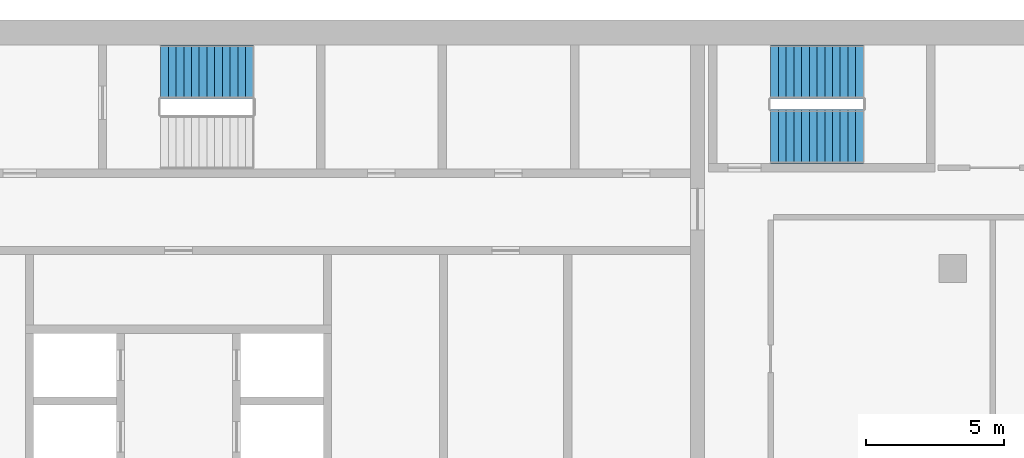
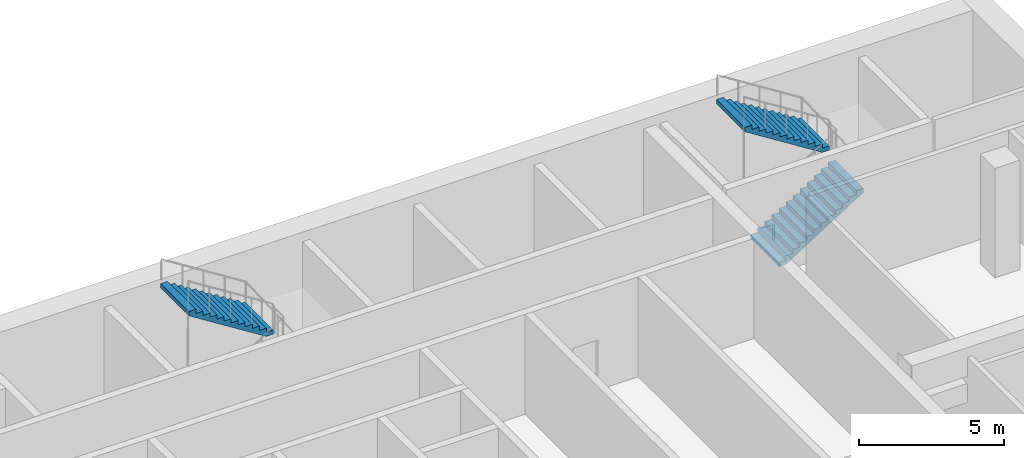
# One storey, part 12 of 18: 3 stair flights, 2 elements without a shape of their own.
"""IFC4 building model written with IfcOpenShell, lengths in metres."""

from ifc_helpers import new_model, si_unit, direction, frame, origin, place, context, subcontext, project, spatial, polyline, outline, extrude, material, type_object, element, aggregate, save


model = new_model("IFC4")

# Units and contexts
model_context = context("Model", 3, precision=1e-05, world=origin(), true_north=direction((0.0, 1.0)))
body_context = subcontext(model_context, "Body", "Model", "MODEL_VIEW")
ifc_project = project(units=[si_unit("LENGTHUNIT", "METRE"), si_unit("AREAUNIT", "SQUARE_METRE"), si_unit("VOLUMEUNIT", "CUBIC_METRE"), si_unit("PLANEANGLEUNIT", "RADIAN"), si_unit("MASSUNIT", "GRAM", prefix="KILO")], contexts=[model_context])

# Site, building, storey
site_placement = place(None, origin())
site = spatial("IfcSite", under=ifc_project, at=site_placement, CompositionType="ELEMENT")
building_placement = place(site_placement, origin())
building = spatial("IfcBuilding", under=site, at=building_placement, Name="Hunhe Ridgeline Campus", CompositionType="ELEMENT")
storey_placement = place(building_placement, frame((0.0, 0.0, 276.199951171875)))
storey = spatial("IfcBuildingStorey", under=building, at=storey_placement, Name="L71", CompositionType="ELEMENT", Elevation=276.199951171875)

# Stair, stair flight
ifc_material = material(Name="Concrete C40", Category="concrete")
stair_type = type_object("IfcStairType", Name="Reinforced concrete dog-leg stair 1950 Concrete C40", PredefinedType="HALF_TURN_STAIR", material=ifc_material)
stair_1_placement = place(storey_placement, origin())
stair_1 = element("IfcStair", 1, at=stair_1_placement, inside=storey, type_object=stair_type, Name="L71 S1", PredefinedType="HALF_TURN_STAIR")
stair_flight_type = type_object("IfcStairFlightType", Name="Reinforced concrete stair flight 1950 Concrete C40", PredefinedType="STRAIGHT", material=ifc_material)
stair_flight_1_placement = place(storey_placement, frame((19.659912109375, 97.125, 2.300048828125), z_axis=(0.0, 0.0, 1.0), x_axis=(-1.0, 0.0, 0.0)))
stair_flight_1 = element("IfcStairFlight", 2, at=stair_flight_1_placement, type_object=stair_flight_type, Name="ST1 flight 2", NumberOfRisers=13, NumberOfTreads=12, PredefinedType="STRAIGHT", RiserHeight=0.176923077, TreadLength=0.28, context=body_context, shape_type="SweptSolid", body=[
    extrude(outline(polyline([(0.0, 0.0), (0.0, 0.177001953125), (0.280029296875, 0.177001953125), (0.280029296875, 0.353759765625), (0.56005859375, 0.353759765625), (0.56005859375, 0.53076171875), (0.840087890625, 0.53076171875), (0.840087890625, 0.707763671875), (1.1201171875, 0.707763671875), (1.1201171875, 0.884521484375), (1.39990234375, 0.884521484375), (1.39990234375, 1.0615234375), (1.679931640625, 1.0615234375), (1.679931640625, 1.238525390625), (1.9599609375, 1.238525390625), (1.9599609375, 1.415283203125), (2.239990234375, 1.415283203125), (2.239990234375, 1.59228515625), (2.52001953125, 1.59228515625), (2.52001953125, 1.769287109375), (2.800048828125, 1.769287109375), (2.800048828125, 1.946044921875), (3.080078125, 1.946044921875), (3.080078125, 2.123046875), (3.360107421875, 2.123046875), (3.360107421875, 2.300048828125), (3.360107421875, 1.94580078125), (0.280517578125, 0.0), (0.0, 0.0)])), frame((0.0, 0.97509765625, 0.0), z_axis=(0.0, -1.0, 0.0), x_axis=(1.0, 0.0, 0.0)), (0.0, 0.0, 1.0), 1.949951171875),
    extrude(outline(polyline([(0.030029296875, 0.030029296875), (0.030029296875, 0.14697265625), (0.31005859375, 0.14697265625), (0.31005859375, 0.32373046875), (0.590087890625, 0.32373046875), (0.590087890625, 0.500732421875), (0.8701171875, 0.500732421875), (0.8701171875, 0.677734375), (1.14990234375, 0.677734375), (1.14990234375, 0.8544921875), (1.429931640625, 0.8544921875), (1.429931640625, 1.031494140625), (1.7099609375, 1.031494140625), (1.7099609375, 1.20849609375), (1.989990234375, 1.20849609375), (1.989990234375, 1.385498046875), (2.27001953125, 1.385498046875), (2.27001953125, 1.562255859375), (2.550048828125, 1.562255859375), (2.550048828125, 1.7392578125), (2.830078125, 1.7392578125), (2.830078125, 1.916259765625), (3.110107421875, 1.916259765625), (3.110107421875, 2.093017578125), (3.330078125, 2.093017578125), (3.330078125, 1.96240234375), (0.27197265625, 0.030029296875), (0.030029296875, 0.030029296875)])), frame((0.0, -0.070068359375, 0.0), z_axis=(0.0, -1.0, 0.0), x_axis=(1.0, 0.0, 0.0)), (0.0, 0.0, 1.0), 0.019775390625),
    extrude(outline(polyline([(0.030029296875, 0.030029296875), (0.030029296875, 0.14697265625), (0.31005859375, 0.14697265625), (0.31005859375, 0.32373046875), (0.590087890625, 0.32373046875), (0.590087890625, 0.500732421875), (0.8701171875, 0.500732421875), (0.8701171875, 0.677734375), (1.14990234375, 0.677734375), (1.14990234375, 0.8544921875), (1.429931640625, 0.8544921875), (1.429931640625, 1.031494140625), (1.7099609375, 1.031494140625), (1.7099609375, 1.20849609375), (1.989990234375, 1.20849609375), (1.989990234375, 1.385498046875), (2.27001953125, 1.385498046875), (2.27001953125, 1.562255859375), (2.550048828125, 1.562255859375), (2.550048828125, 1.7392578125), (2.830078125, 1.7392578125), (2.830078125, 1.916259765625), (3.110107421875, 1.916259765625), (3.110107421875, 2.093017578125), (3.330078125, 2.093017578125), (3.330078125, 1.96240234375), (0.27197265625, 0.030029296875), (0.030029296875, 0.030029296875)])), frame((0.0, 0.010009765625, 0.0), z_axis=(0.0, -1.0, 0.0), x_axis=(1.0, 0.0, 0.0)), (0.0, 0.0, 1.0), 0.019775390625),
    extrude(outline(polyline([(0.030029296875, 0.030029296875), (0.030029296875, 0.14697265625), (0.31005859375, 0.14697265625), (0.31005859375, 0.32373046875), (0.590087890625, 0.32373046875), (0.590087890625, 0.500732421875), (0.8701171875, 0.500732421875), (0.8701171875, 0.677734375), (1.14990234375, 0.677734375), (1.14990234375, 0.8544921875), (1.429931640625, 0.8544921875), (1.429931640625, 1.031494140625), (1.7099609375, 1.031494140625), (1.7099609375, 1.20849609375), (1.989990234375, 1.20849609375), (1.989990234375, 1.385498046875), (2.27001953125, 1.385498046875), (2.27001953125, 1.562255859375), (2.550048828125, 1.562255859375), (2.550048828125, 1.7392578125), (2.830078125, 1.7392578125), (2.830078125, 1.916259765625), (3.110107421875, 1.916259765625), (3.110107421875, 2.093017578125), (3.330078125, 2.093017578125), (3.330078125, 1.96240234375), (0.27197265625, 0.030029296875), (0.030029296875, 0.030029296875)])), frame((0.0, 0.090087890625, 0.0), z_axis=(0.0, -1.0, 0.0), x_axis=(1.0, 0.0, 0.0)), (0.0, 0.0, 1.0), 0.019775390625),
])
aggregate(stair_1, [stair_flight_1])

# Stair, stair flights
stair_2_placement = place(storey_placement, origin())
stair_2 = element("IfcStair", 3, at=stair_2_placement, inside=storey, type_object=stair_type, Name="L71 E1", PredefinedType="HALF_TURN_STAIR")
stair_flight_2_placement = place(storey_placement, frame((38.39990234375, 94.77490234375, 0.0), z_axis=(0.0, 0.0, 1.0), x_axis=(1.0, 0.0, 0.0)))
stair_flight_2 = element("IfcStairFlight", 4, at=stair_flight_2_placement, type_object=stair_flight_type, Name="ST5 flight 1", NumberOfRisers=13, NumberOfTreads=12, PredefinedType="STRAIGHT", RiserHeight=0.176923077, TreadLength=0.28, context=body_context, shape_type="SweptSolid", body=[
    extrude(outline(polyline([(0.0, 0.0), (0.0, 0.177001953125), (0.280029296875, 0.177001953125), (0.280029296875, 0.353759765625), (0.56005859375, 0.353759765625), (0.56005859375, 0.53076171875), (0.840087890625, 0.53076171875), (0.840087890625, 0.707763671875), (1.1201171875, 0.707763671875), (1.1201171875, 0.884521484375), (1.39990234375, 0.884521484375), (1.39990234375, 1.0615234375), (1.679931640625, 1.0615234375), (1.679931640625, 1.238525390625), (1.9599609375, 1.238525390625), (1.9599609375, 1.415283203125), (2.239990234375, 1.415283203125), (2.239990234375, 1.59228515625), (2.52001953125, 1.59228515625), (2.52001953125, 1.769287109375), (2.800048828125, 1.769287109375), (2.800048828125, 1.946044921875), (3.080078125, 1.946044921875), (3.080078125, 2.123046875), (3.360107421875, 2.123046875), (3.360107421875, 2.300048828125), (3.360107421875, 1.94580078125), (0.280517578125, 0.0), (0.0, 0.0)])), frame((0.0, 0.97509765625, 0.0), z_axis=(0.0, -1.0, 0.0), x_axis=(1.0, 0.0, 0.0)), (0.0, 0.0, 1.0), 1.949951171875),
    extrude(outline(polyline([(0.030029296875, 0.030029296875), (0.030029296875, 0.14697265625), (0.31005859375, 0.14697265625), (0.31005859375, 0.32373046875), (0.590087890625, 0.32373046875), (0.590087890625, 0.500732421875), (0.8701171875, 0.500732421875), (0.8701171875, 0.677734375), (1.14990234375, 0.677734375), (1.14990234375, 0.8544921875), (1.429931640625, 0.8544921875), (1.429931640625, 1.031494140625), (1.7099609375, 1.031494140625), (1.7099609375, 1.20849609375), (1.989990234375, 1.20849609375), (1.989990234375, 1.385498046875), (2.27001953125, 1.385498046875), (2.27001953125, 1.562255859375), (2.550048828125, 1.562255859375), (2.550048828125, 1.7392578125), (2.830078125, 1.7392578125), (2.830078125, 1.916259765625), (3.110107421875, 1.916259765625), (3.110107421875, 2.093017578125), (3.330078125, 2.093017578125), (3.330078125, 1.96240234375), (0.27197265625, 0.030029296875), (0.030029296875, 0.030029296875)])), frame((0.0, -0.070068359375, 0.0), z_axis=(0.0, -1.0, 0.0), x_axis=(1.0, 0.0, 0.0)), (0.0, 0.0, 1.0), 0.019775390625),
    extrude(outline(polyline([(0.030029296875, 0.030029296875), (0.030029296875, 0.14697265625), (0.31005859375, 0.14697265625), (0.31005859375, 0.32373046875), (0.590087890625, 0.32373046875), (0.590087890625, 0.500732421875), (0.8701171875, 0.500732421875), (0.8701171875, 0.677734375), (1.14990234375, 0.677734375), (1.14990234375, 0.8544921875), (1.429931640625, 0.8544921875), (1.429931640625, 1.031494140625), (1.7099609375, 1.031494140625), (1.7099609375, 1.20849609375), (1.989990234375, 1.20849609375), (1.989990234375, 1.385498046875), (2.27001953125, 1.385498046875), (2.27001953125, 1.562255859375), (2.550048828125, 1.562255859375), (2.550048828125, 1.7392578125), (2.830078125, 1.7392578125), (2.830078125, 1.916259765625), (3.110107421875, 1.916259765625), (3.110107421875, 2.093017578125), (3.330078125, 2.093017578125), (3.330078125, 1.96240234375), (0.27197265625, 0.030029296875), (0.030029296875, 0.030029296875)])), frame((0.0, 0.010009765625, 0.0), z_axis=(0.0, -1.0, 0.0), x_axis=(1.0, 0.0, 0.0)), (0.0, 0.0, 1.0), 0.019775390625),
    extrude(outline(polyline([(0.030029296875, 0.030029296875), (0.030029296875, 0.14697265625), (0.31005859375, 0.14697265625), (0.31005859375, 0.32373046875), (0.590087890625, 0.32373046875), (0.590087890625, 0.500732421875), (0.8701171875, 0.500732421875), (0.8701171875, 0.677734375), (1.14990234375, 0.677734375), (1.14990234375, 0.8544921875), (1.429931640625, 0.8544921875), (1.429931640625, 1.031494140625), (1.7099609375, 1.031494140625), (1.7099609375, 1.20849609375), (1.989990234375, 1.20849609375), (1.989990234375, 1.385498046875), (2.27001953125, 1.385498046875), (2.27001953125, 1.562255859375), (2.550048828125, 1.562255859375), (2.550048828125, 1.7392578125), (2.830078125, 1.7392578125), (2.830078125, 1.916259765625), (3.110107421875, 1.916259765625), (3.110107421875, 2.093017578125), (3.330078125, 2.093017578125), (3.330078125, 1.96240234375), (0.27197265625, 0.030029296875), (0.030029296875, 0.030029296875)])), frame((0.0, 0.090087890625, 0.0), z_axis=(0.0, -1.0, 0.0), x_axis=(1.0, 0.0, 0.0)), (0.0, 0.0, 1.0), 0.019775390625),
])
stair_flight_3_placement = place(storey_placement, frame((41.760009765625, 97.125, 2.300048828125), z_axis=(0.0, 0.0, 1.0), x_axis=(-1.0, 0.0, 0.0)))
stair_flight_3 = element("IfcStairFlight", 5, at=stair_flight_3_placement, type_object=stair_flight_type, Name="ST5 flight 2", NumberOfRisers=13, NumberOfTreads=12, PredefinedType="STRAIGHT", RiserHeight=0.176923077, TreadLength=0.28, context=body_context, shape_type="SweptSolid", body=[
    extrude(outline(polyline([(0.0, 0.0), (0.0, 0.177001953125), (0.280029296875, 0.177001953125), (0.280029296875, 0.353759765625), (0.56005859375, 0.353759765625), (0.56005859375, 0.53076171875), (0.840087890625, 0.53076171875), (0.840087890625, 0.707763671875), (1.1201171875, 0.707763671875), (1.1201171875, 0.884521484375), (1.39990234375, 0.884521484375), (1.39990234375, 1.0615234375), (1.679931640625, 1.0615234375), (1.679931640625, 1.238525390625), (1.9599609375, 1.238525390625), (1.9599609375, 1.415283203125), (2.239990234375, 1.415283203125), (2.239990234375, 1.59228515625), (2.52001953125, 1.59228515625), (2.52001953125, 1.769287109375), (2.800048828125, 1.769287109375), (2.800048828125, 1.946044921875), (3.080078125, 1.946044921875), (3.080078125, 2.123046875), (3.360107421875, 2.123046875), (3.360107421875, 2.300048828125), (3.360107421875, 1.94580078125), (0.280517578125, 0.0), (0.0, 0.0)])), frame((0.0, 0.97509765625, 0.0), z_axis=(0.0, -1.0, 0.0), x_axis=(1.0, 0.0, 0.0)), (0.0, 0.0, 1.0), 1.949951171875),
    extrude(outline(polyline([(0.030029296875, 0.030029296875), (0.030029296875, 0.14697265625), (0.31005859375, 0.14697265625), (0.31005859375, 0.32373046875), (0.590087890625, 0.32373046875), (0.590087890625, 0.500732421875), (0.8701171875, 0.500732421875), (0.8701171875, 0.677734375), (1.14990234375, 0.677734375), (1.14990234375, 0.8544921875), (1.429931640625, 0.8544921875), (1.429931640625, 1.031494140625), (1.7099609375, 1.031494140625), (1.7099609375, 1.20849609375), (1.989990234375, 1.20849609375), (1.989990234375, 1.385498046875), (2.27001953125, 1.385498046875), (2.27001953125, 1.562255859375), (2.550048828125, 1.562255859375), (2.550048828125, 1.7392578125), (2.830078125, 1.7392578125), (2.830078125, 1.916259765625), (3.110107421875, 1.916259765625), (3.110107421875, 2.093017578125), (3.330078125, 2.093017578125), (3.330078125, 1.96240234375), (0.27197265625, 0.030029296875), (0.030029296875, 0.030029296875)])), frame((0.0, -0.070068359375, 0.0), z_axis=(0.0, -1.0, 0.0), x_axis=(1.0, 0.0, 0.0)), (0.0, 0.0, 1.0), 0.019775390625),
    extrude(outline(polyline([(0.030029296875, 0.030029296875), (0.030029296875, 0.14697265625), (0.31005859375, 0.14697265625), (0.31005859375, 0.32373046875), (0.590087890625, 0.32373046875), (0.590087890625, 0.500732421875), (0.8701171875, 0.500732421875), (0.8701171875, 0.677734375), (1.14990234375, 0.677734375), (1.14990234375, 0.8544921875), (1.429931640625, 0.8544921875), (1.429931640625, 1.031494140625), (1.7099609375, 1.031494140625), (1.7099609375, 1.20849609375), (1.989990234375, 1.20849609375), (1.989990234375, 1.385498046875), (2.27001953125, 1.385498046875), (2.27001953125, 1.562255859375), (2.550048828125, 1.562255859375), (2.550048828125, 1.7392578125), (2.830078125, 1.7392578125), (2.830078125, 1.916259765625), (3.110107421875, 1.916259765625), (3.110107421875, 2.093017578125), (3.330078125, 2.093017578125), (3.330078125, 1.96240234375), (0.27197265625, 0.030029296875), (0.030029296875, 0.030029296875)])), frame((0.0, 0.010009765625, 0.0), z_axis=(0.0, -1.0, 0.0), x_axis=(1.0, 0.0, 0.0)), (0.0, 0.0, 1.0), 0.019775390625),
    extrude(outline(polyline([(0.030029296875, 0.030029296875), (0.030029296875, 0.14697265625), (0.31005859375, 0.14697265625), (0.31005859375, 0.32373046875), (0.590087890625, 0.32373046875), (0.590087890625, 0.500732421875), (0.8701171875, 0.500732421875), (0.8701171875, 0.677734375), (1.14990234375, 0.677734375), (1.14990234375, 0.8544921875), (1.429931640625, 0.8544921875), (1.429931640625, 1.031494140625), (1.7099609375, 1.031494140625), (1.7099609375, 1.20849609375), (1.989990234375, 1.20849609375), (1.989990234375, 1.385498046875), (2.27001953125, 1.385498046875), (2.27001953125, 1.562255859375), (2.550048828125, 1.562255859375), (2.550048828125, 1.7392578125), (2.830078125, 1.7392578125), (2.830078125, 1.916259765625), (3.110107421875, 1.916259765625), (3.110107421875, 2.093017578125), (3.330078125, 2.093017578125), (3.330078125, 1.96240234375), (0.27197265625, 0.030029296875), (0.030029296875, 0.030029296875)])), frame((0.0, 0.090087890625, 0.0), z_axis=(0.0, -1.0, 0.0), x_axis=(1.0, 0.0, 0.0)), (0.0, 0.0, 1.0), 0.019775390625),
])
aggregate(stair_2, [stair_flight_2, stair_flight_3])

save(model, "model.ifc")
